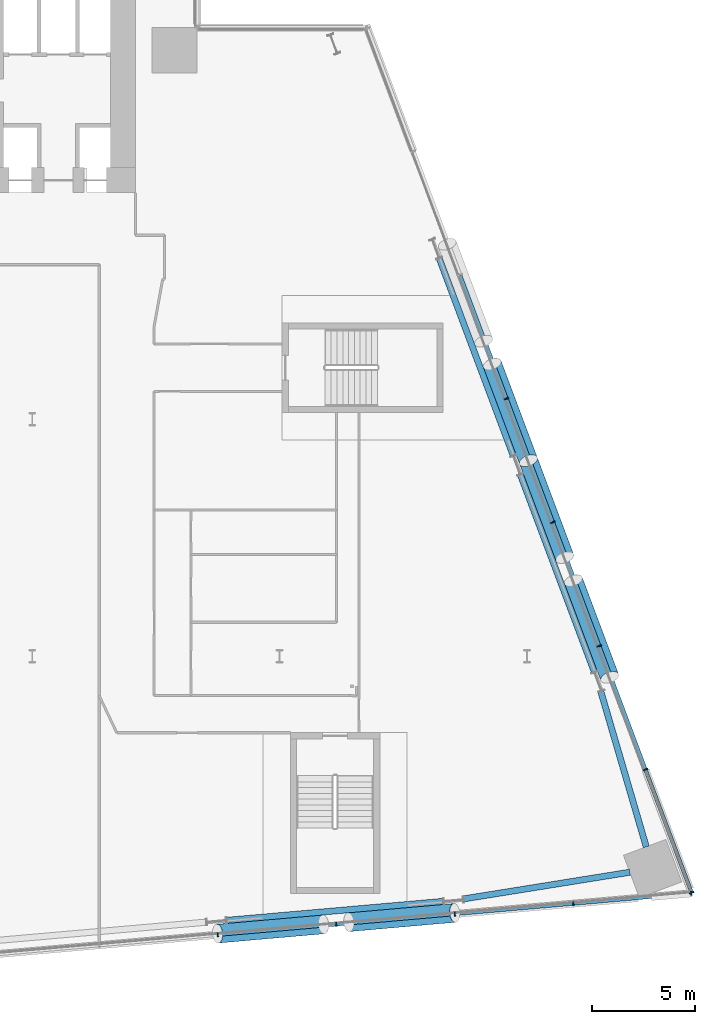
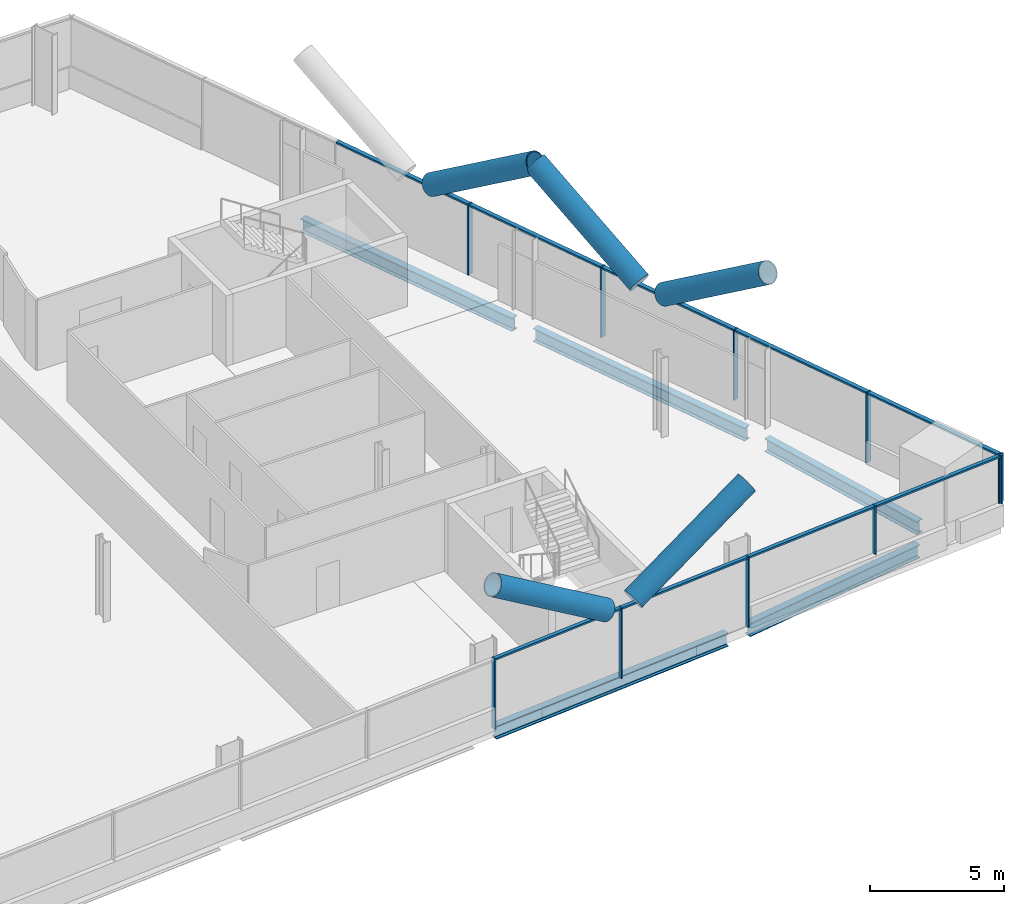
# One storey, part 9 of 25: 24 members, 5 beams, 2 elements without a shape of their own.
"""IFC4 building model written with IfcOpenShell, lengths in metres."""

from ifc_helpers import new_model, si_unit, direction, frame, origin, origin_2d, place, context, subcontext, project, spatial, rectangle, hollow_circle, i_section, extrude, material, material_profile, profile_set, type_object, element, aggregate, save


model = new_model("IFC4")

# Units and contexts
model_context = context("Model", 3, precision=1e-05, world=origin(), true_north=direction((0.0, 1.0)))
body_context = subcontext(model_context, "Body", "Model", "MODEL_VIEW")
ifc_project = project(units=[si_unit("LENGTHUNIT", "METRE"), si_unit("AREAUNIT", "SQUARE_METRE"), si_unit("VOLUMEUNIT", "CUBIC_METRE"), si_unit("PLANEANGLEUNIT", "RADIAN"), si_unit("MASSUNIT", "GRAM", prefix="KILO")], contexts=[model_context])

# Site, building, storey
site_placement = place(None, origin())
site = spatial("IfcSite", under=ifc_project, at=site_placement, CompositionType="ELEMENT")
building_placement = place(site_placement, origin())
building = spatial("IfcBuilding", under=site, at=building_placement, Name="Wharfspan Tower", CompositionType="ELEMENT")
storey_placement = place(building_placement, frame((0.0, 0.0, 63.100098)))
storey = spatial("IfcBuildingStorey", under=building, at=storey_placement, Name="L12", CompositionType="ELEMENT", Elevation=63.100098)

# Beams
ifc_material_1 = material(Name="Steel S355J2", Category="steel")
ifc_material_profile_1 = material_profile(ifc_material_1, i_section(OverallWidth=0.300049, OverallDepth=0.600098, WebThickness=0.015381, FlangeThickness=0.030029, FilletRadius=0.0271, at=origin_2d()))
ifc_profile_set_1 = profile_set([ifc_material_profile_1], Name="Steel S355J2")
beam_type = type_object("IfcBeamType", Name="Edge beam HEB 600", PredefinedType="SPANDREL", material=ifc_profile_set_1)
beam_1_placement = place(storey_placement, frame((69.440674, -1.311279, -0.700195), z_axis=(0.996193, 0.087178, 0.0), x_axis=(-0.087178, 0.996193, 0.0)))
element("IfcBeam", 1, at=beam_1_placement, inside=storey, type_object=beam_type, Name="Edge beam S2 L12 PS2.2 to PS2.3", PredefinedType="SPANDREL", context=body_context, shape_type="SweptSolid", body=[
    extrude(i_section(OverallWidth=0.300049, OverallDepth=0.600098, WebThickness=0.015381, FlangeThickness=0.030029, FilletRadius=0.0271, at=origin_2d()), origin(), (0.0, 0.0, 1.0), 10.543701),
])
beam_2_placement = place(storey_placement, frame((80.9375, -0.269287, -0.700195), z_axis=(0.987379, 0.158378, 0.0), x_axis=(-0.158378, 0.987379, 0.0)))
element("IfcBeam", 2, at=beam_2_placement, inside=storey, type_object=beam_type, Name="Edge beam S2 L12 PS2.3 to MC4", PredefinedType="SPANDREL", context=body_context, shape_type="SweptSolid", body=[
    extrude(i_section(OverallWidth=0.300049, OverallDepth=0.600098, WebThickness=0.015381, FlangeThickness=0.030029, FilletRadius=0.0271, at=origin_2d()), origin(), (0.0, 0.0, 1.0), 8.157715),
])
beam_3_placement = place(storey_placement, frame((89.788086, 2.254639, -0.700195), z_axis=(-0.280694, 0.959797, 0.0), x_axis=(-0.959797, -0.280694, 0.0)))
element("IfcBeam", 3, at=beam_3_placement, inside=storey, type_object=beam_type, Name="Edge beam E L12 MC4 to PE.1", PredefinedType="SPANDREL", context=body_context, shape_type="SweptSolid", body=[
    extrude(i_section(OverallWidth=0.300049, OverallDepth=0.600098, WebThickness=0.015381, FlangeThickness=0.030029, FilletRadius=0.0271, at=origin_2d()), origin(), (0.0, 0.0, 1.0), 7.8479),
])
for number, where, z_axis, x_axis, name in (
    (4, (87.269043, 10.736328, -0.700195), (-0.351126, 0.936328, 0.0), (-0.936328, -0.351126, 0.0), "Edge beam E L12 PE.1 to PE.2"),
    (5, (83.331543, 21.236328, -0.700195), (-0.351126, 0.936328, 0.0), (-0.936328, -0.351126, 0.0), "Edge beam E L12 PE.2 to PE.3"),
):
    element("IfcBeam", number, at=place(storey_placement, frame(where, z_axis=z_axis, x_axis=x_axis)), inside=storey, type_object=beam_type, Name=name, PredefinedType="SPANDREL", context=body_context, shape_type="SweptSolid", body=[
        extrude(i_section(OverallWidth=0.300049, OverallDepth=0.600098, WebThickness=0.015381, FlangeThickness=0.030029, FilletRadius=0.0271, at=origin_2d()), origin(), (0.0, 0.0, 1.0), 10.214111),
    ])

# Curtain wall, members
ifc_material_2 = material(Name="Aluminium 6063-T6", Category="aluminium")
curtain_wall_type_1 = type_object("IfcCurtainWallType", Name="CURTAIN WALL FACETED FRONT", PredefinedType="NOTDEFINED", material=ifc_material_2)
curtain_wall_1_placement = place(storey_placement, origin())
curtain_wall_1 = element("IfcCurtainWall", 6, at=curtain_wall_1_placement, inside=storey, type_object=curtain_wall_type_1, Name="Curtain wall S2", PredefinedType="NOTDEFINED")
ifc_material_profile_2 = material_profile(ifc_material_2, rectangle(XDim=0.199951, YDim=0.060059, at=origin_2d()))
ifc_profile_set_2 = profile_set([ifc_material_profile_2], Name="Aluminium 6063-T6")
member_type_1 = type_object("IfcMemberType", Name="MULLION FACETED FRONT 60x200", PredefinedType="MULLION", material=ifc_profile_set_2)
member_1_placement = place(storey_placement, frame((69.0, -2.012207, 0.0), z_axis=(0.0, 0.0, 1.0), x_axis=(-0.087156, 0.996197, 0.0)))
member_1 = element("IfcMember", 7, at=member_1_placement, type_object=member_type_1, Name="Curtain wall S2 mullion 5", PredefinedType="MULLION", context=body_context, shape_type="SweptSolid", body=[
    extrude(rectangle(XDim=0.199951, YDim=0.060059, at=origin_2d()), origin(), (0.0, 0.0, 1.0), 3.199951),
])
member_2_placement = place(storey_placement, frame((74.75, -1.509277, 0.0), z_axis=(0.0, 0.0, 1.0), x_axis=(-0.087156, 0.996197, 0.0)))
member_2 = element("IfcMember", 8, at=member_2_placement, type_object=member_type_1, Name="Curtain wall S2 mullion 6", PredefinedType="MULLION", context=body_context, shape_type="SweptSolid", body=[
    extrude(rectangle(XDim=0.199951, YDim=0.060059, at=origin_2d()), origin(), (0.0, 0.0, 1.0), 3.199951),
])
member_3_placement = place(storey_placement, frame((80.5, -1.006104, 0.0), z_axis=(0.0, 0.0, 1.0), x_axis=(-0.087156, 0.996197, 0.0)))
member_3 = element("IfcMember", 9, at=member_3_placement, type_object=member_type_1, Name="Curtain wall S2 mullion 7", PredefinedType="MULLION", context=body_context, shape_type="SweptSolid", body=[
    extrude(rectangle(XDim=0.199951, YDim=0.060059, at=origin_2d()), origin(), (0.0, 0.0, 1.0), 3.199951),
])
member_4_placement = place(storey_placement, frame((86.25, -0.503174, 1.0), z_axis=(0.0, 0.0, 1.0), x_axis=(-0.087156, 0.996197, 0.0)))
member_4 = element("IfcMember", 10, at=member_4_placement, type_object=member_type_1, Name="Curtain wall S2 mullion 8", PredefinedType="MULLION", context=body_context, shape_type="SweptSolid", body=[
    extrude(rectangle(XDim=0.199951, YDim=0.060059, at=origin_2d()), origin(), (0.0, 0.0, 1.0), 2.199951),
])
member_5_placement = place(storey_placement, frame((91.970215, -0.002686, 1.0), z_axis=(0.0, 0.0, 1.0), x_axis=(-0.087156, 0.996197, 0.0)))
member_5 = element("IfcMember", 11, at=member_5_placement, type_object=member_type_1, Name="Curtain wall S2 mullion 9", PredefinedType="MULLION", context=body_context, shape_type="SweptSolid", body=[
    extrude(rectangle(XDim=0.199951, YDim=0.060059, at=origin_2d()), origin(), (0.0, 0.0, 1.0), 2.199951),
])

curtain_wall_type_2 = type_object("IfcCurtainWallType", Name="CURTAIN WALL PROW AND END", PredefinedType="NOTDEFINED", material=ifc_material_2)
curtain_wall_2_placement = place(storey_placement, origin())
curtain_wall_2 = element("IfcCurtainWall", 12, at=curtain_wall_2_placement, inside=storey, type_object=curtain_wall_type_2, Name="Curtain wall E", PredefinedType="NOTDEFINED")
ifc_material_profile_3 = material_profile(ifc_material_2, rectangle(XDim=0.23999, YDim=0.060059, at=origin_2d()))
ifc_profile_set_3 = profile_set([ifc_material_profile_3], Name="Aluminium 6063-T6")
member_type_2 = type_object("IfcMemberType", Name="MULLION PROW AND END 60x240", PredefinedType="MULLION", material=ifc_profile_set_3)
member_6_placement = place(storey_placement, frame((91.989502, 0.028076, 1.0), z_axis=(0.0, 0.0, 1.0), x_axis=(-0.936328, -0.351123, 0.0)))
member_6 = element("IfcMember", 13, at=member_6_placement, type_object=member_type_2, Name="Curtain wall E mullion 1", PredefinedType="MULLION", context=body_context, shape_type="SweptSolid", body=[
    extrude(rectangle(XDim=0.23999, YDim=0.060059, at=origin_2d()), origin(), (0.0, 0.0, 1.0), 2.199951),
])
member_7_placement = place(storey_placement, frame((89.75, 6.0, 0.0), z_axis=(0.0, 0.0, 1.0), x_axis=(-0.936328, -0.351123, 0.0)))
member_7 = element("IfcMember", 14, at=member_7_placement, type_object=member_type_2, Name="Curtain wall E mullion 2", PredefinedType="MULLION", context=body_context, shape_type="SweptSolid", body=[
    extrude(rectangle(XDim=0.23999, YDim=0.060059, at=origin_2d()), origin(), (0.0, 0.0, 1.0), 3.199951),
])
member_8_placement = place(storey_placement, frame((87.5, 12.0, 0.0), z_axis=(0.0, 0.0, 1.0), x_axis=(-0.936328, -0.351123, 0.0)))
member_8 = element("IfcMember", 15, at=member_8_placement, type_object=member_type_2, Name="Curtain wall E mullion 3", PredefinedType="MULLION", context=body_context, shape_type="SweptSolid", body=[
    extrude(rectangle(XDim=0.23999, YDim=0.060059, at=origin_2d()), origin(), (0.0, 0.0, 1.0), 3.199951),
])
member_9_placement = place(storey_placement, frame((85.25, 18.0, 0.0), z_axis=(0.0, 0.0, 1.0), x_axis=(-0.936328, -0.351123, 0.0)))
member_9 = element("IfcMember", 16, at=member_9_placement, type_object=member_type_2, Name="Curtain wall E mullion 4", PredefinedType="MULLION", context=body_context, shape_type="SweptSolid", body=[
    extrude(rectangle(XDim=0.23999, YDim=0.060059, at=origin_2d()), origin(), (0.0, 0.0, 1.0), 3.199951),
])
member_10_placement = place(storey_placement, frame((83.0, 24.0, 0.0), z_axis=(0.0, 0.0, 1.0), x_axis=(-0.936328, -0.351123, 0.0)))
member_10 = element("IfcMember", 17, at=member_10_placement, type_object=member_type_2, Name="Curtain wall E mullion 5", PredefinedType="MULLION", context=body_context, shape_type="SweptSolid", body=[
    extrude(rectangle(XDim=0.23999, YDim=0.060059, at=origin_2d()), origin(), (0.0, 0.0, 1.0), 3.199951),
])

# Members
ifc_material_3 = material(Name="Steel S460NH", Category="steel")
ifc_material_profile_4 = material_profile(ifc_material_3, hollow_circle(Radius=0.457031, WallThickness=0.040039, at=origin_2d()))
ifc_profile_set_4 = profile_set([ifc_material_profile_4], Name="Steel S460NH")
member_type_3 = type_object("IfcMemberType", Name="Mega brace CHS 914x40", PredefinedType="BRACE", material=ifc_profile_set_4)
member_11_placement = place(storey_placement, frame((75.361328, -1.400391, 3.285645), z_axis=(0.845253, 0.073921, 0.529228), x_axis=(-0.08712, 0.996199, -3e-06)))
element("IfcMember", 18, at=member_11_placement, inside=storey, type_object=member_type_3, Name="Mega brace S2 L12 part 2", PredefinedType="BRACE", context=body_context, shape_type="SweptSolid", body=[
    extrude(hollow_circle(Radius=0.457031, WallThickness=0.040039, at=origin_2d()), origin(), (0.0, 0.0, 1.0), 6.07373),
])
member_12_placement = place(storey_placement, frame((74.12915, -1.508301, 3.285645), z_axis=(-0.845262, -0.073959, 0.529208), x_axis=(0.087167, -0.996192, 3e-06)))
element("IfcMember", 19, at=member_12_placement, inside=storey, type_object=member_type_3, Name="Mega brace S2 L12 part 4", PredefinedType="BRACE", context=body_context, shape_type="SweptSolid", body=[
    extrude(hollow_circle(Radius=0.457031, WallThickness=0.040039, at=origin_2d()), origin(), (0.0, 0.0, 1.0), 6.073975),
])
for number, where, z_axis, x_axis, name in (
    (20, (85.833008, 16.288574, 3.282471), (-0.295459, 0.787904, 0.540288), (-0.936328, -0.351115, -3e-06), "Mega brace E5 L12 part 2"),
    (21, (86.251465, 15.172852, 3.282471), (0.295459, -0.787904, 0.540288), (0.936328, 0.351115, -3e-06), "Mega brace E5 L12 part 4"),
    (22, (82.313965, 25.672852, 3.282471), (0.295459, -0.787904, 0.540288), (0.936328, 0.351115, -3e-06), "Mega brace E6 L12 part 4"),
):
    element("IfcMember", number, at=place(storey_placement, frame(where, z_axis=z_axis, x_axis=x_axis)), inside=storey, type_object=member_type_3, Name=name, PredefinedType="BRACE", context=body_context, shape_type="SweptSolid", body=[
        extrude(hollow_circle(Radius=0.457031, WallThickness=0.040039, at=origin_2d()), origin(), (0.0, 0.0, 1.0), 5.955322),
    ])

# Member
ifc_material_profile_5 = material_profile(ifc_material_2, rectangle(XDim=0.159912, YDim=0.080078, at=origin_2d()))
ifc_profile_set_5 = profile_set([ifc_material_profile_5], Name="Aluminium 6063-T6")
member_type_4 = type_object("IfcMemberType", Name="TRANSOM FACETED FRONT 80x160", PredefinedType="USERDEFINED", material=ifc_profile_set_5)
member_13_placement = place(storey_placement, frame((69.029785, -2.009521, 3.159912), z_axis=(0.996195, 0.087148, 0.0), x_axis=(-0.087148, 0.996195, 0.0)))
member_13 = element("IfcMember", 23, at=member_13_placement, type_object=member_type_4, Name="Curtain wall S2 transom 5", ObjectType="TRANSOM", PredefinedType="USERDEFINED", context=body_context, shape_type="SweptSolid", body=[
    extrude(rectangle(XDim=0.159912, YDim=0.080078, at=origin_2d()), origin(), (0.0, 0.0, 1.0), 5.712158),
])

member_14_placement = place(storey_placement, frame((74.779785, -1.506592, 3.159912), z_axis=(0.996195, 0.087148, 0.0), x_axis=(-0.087148, 0.996195, 0.0)))
member_14 = element("IfcMember", 24, at=member_14_placement, type_object=member_type_4, Name="Curtain wall S2 transom 6", ObjectType="TRANSOM", PredefinedType="USERDEFINED", context=body_context, shape_type="SweptSolid", body=[
    extrude(rectangle(XDim=0.159912, YDim=0.080078, at=origin_2d()), origin(), (0.0, 0.0, 1.0), 5.712158),
])

member_15_placement = place(storey_placement, frame((80.529785, -1.003418, 3.159912), z_axis=(0.996195, 0.087148, 0.0), x_axis=(-0.087148, 0.996195, 0.0)))
member_15 = element("IfcMember", 25, at=member_15_placement, type_object=member_type_4, Name="Curtain wall S2 transom 7", ObjectType="TRANSOM", PredefinedType="USERDEFINED", context=body_context, shape_type="SweptSolid", body=[
    extrude(rectangle(XDim=0.159912, YDim=0.080078, at=origin_2d()), origin(), (0.0, 0.0, 1.0), 5.712158),
])

member_16_placement = place(storey_placement, frame((86.279785, -0.500488, 3.159912), z_axis=(0.996193, 0.08718, 0.0), x_axis=(-0.08718, 0.996193, 0.0)))
member_16 = element("IfcMember", 26, at=member_16_placement, type_object=member_type_4, Name="Curtain wall S2 transom 8", ObjectType="TRANSOM", PredefinedType="USERDEFINED", context=body_context, shape_type="SweptSolid", body=[
    extrude(rectangle(XDim=0.159912, YDim=0.080078, at=origin_2d()), origin(), (0.0, 0.0, 1.0), 5.682129),
])

aggregate(curtain_wall_1, [member_1, member_2, member_3, member_4, member_5, member_13, member_14, member_15, member_16])

ifc_material_profile_6 = material_profile(ifc_material_2, rectangle(XDim=0.179932, YDim=0.080078, at=origin_2d()))
ifc_profile_set_6 = profile_set([ifc_material_profile_6], Name="Aluminium 6063-T6")
member_type_5 = type_object("IfcMemberType", Name="TRANSOM PROW AND END 80x180", PredefinedType="USERDEFINED", material=ifc_profile_set_6)
member_17_placement = place(storey_placement, frame((91.979004, 0.056152, 3.159912), z_axis=(-0.351136, 0.936324, 0.0), x_axis=(-0.936324, -0.351136, 0.0)))
member_17 = element("IfcMember", 27, at=member_17_placement, type_object=member_type_5, Name="Curtain wall E transom 1", ObjectType="TRANSOM", PredefinedType="USERDEFINED", context=body_context, shape_type="SweptSolid", body=[
    extrude(rectangle(XDim=0.179932, YDim=0.080078, at=origin_2d()), origin(), (0.0, 0.0, 1.0), 6.318115),
])

member_18_placement = place(storey_placement, frame((89.739502, 6.028076, 3.159912), z_axis=(-0.351132, 0.936326, 0.0), x_axis=(-0.936326, -0.351132, 0.0)))
member_18 = element("IfcMember", 28, at=member_18_placement, type_object=member_type_5, Name="Curtain wall E transom 2", ObjectType="TRANSOM", PredefinedType="USERDEFINED", context=body_context, shape_type="SweptSolid", body=[
    extrude(rectangle(XDim=0.179932, YDim=0.080078, at=origin_2d()), origin(), (0.0, 0.0, 1.0), 6.348145),
])

member_19_placement = place(storey_placement, frame((87.489502, 12.028076, 3.159912), z_axis=(-0.351132, 0.936326, 0.0), x_axis=(-0.936326, -0.351132, 0.0)))
member_19 = element("IfcMember", 29, at=member_19_placement, type_object=member_type_5, Name="Curtain wall E transom 3", ObjectType="TRANSOM", PredefinedType="USERDEFINED", context=body_context, shape_type="SweptSolid", body=[
    extrude(rectangle(XDim=0.179932, YDim=0.080078, at=origin_2d()), origin(), (0.0, 0.0, 1.0), 6.348145),
])

member_20_placement = place(storey_placement, frame((85.239502, 18.028076, 3.159912), z_axis=(-0.351132, 0.936326, 0.0), x_axis=(-0.936326, -0.351132, 0.0)))
member_20 = element("IfcMember", 30, at=member_20_placement, type_object=member_type_5, Name="Curtain wall E transom 4", ObjectType="TRANSOM", PredefinedType="USERDEFINED", context=body_context, shape_type="SweptSolid", body=[
    extrude(rectangle(XDim=0.179932, YDim=0.080078, at=origin_2d()), origin(), (0.0, 0.0, 1.0), 6.348145),
])

member_21_placement = place(storey_placement, frame((82.989502, 24.028076, 3.159912), z_axis=(-0.351132, 0.936326, 0.0), x_axis=(-0.936326, -0.351132, 0.0)))
member_21 = element("IfcMember", 31, at=member_21_placement, type_object=member_type_5, Name="Curtain wall E transom 5", ObjectType="TRANSOM", PredefinedType="USERDEFINED", context=body_context, shape_type="SweptSolid", body=[
    extrude(rectangle(XDim=0.179932, YDim=0.080078, at=origin_2d()), origin(), (0.0, 0.0, 1.0), 6.348145),
])

aggregate(curtain_wall_2, [member_6, member_7, member_8, member_9, member_10, member_17, member_18, member_19, member_20, member_21])

save(model, "model.ifc")
